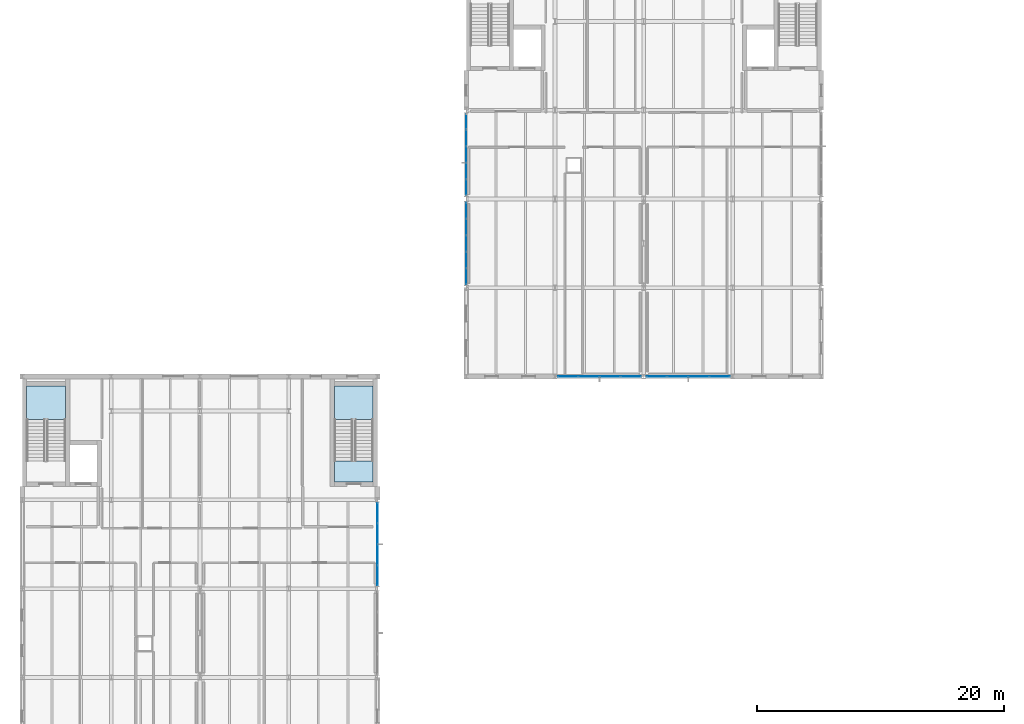
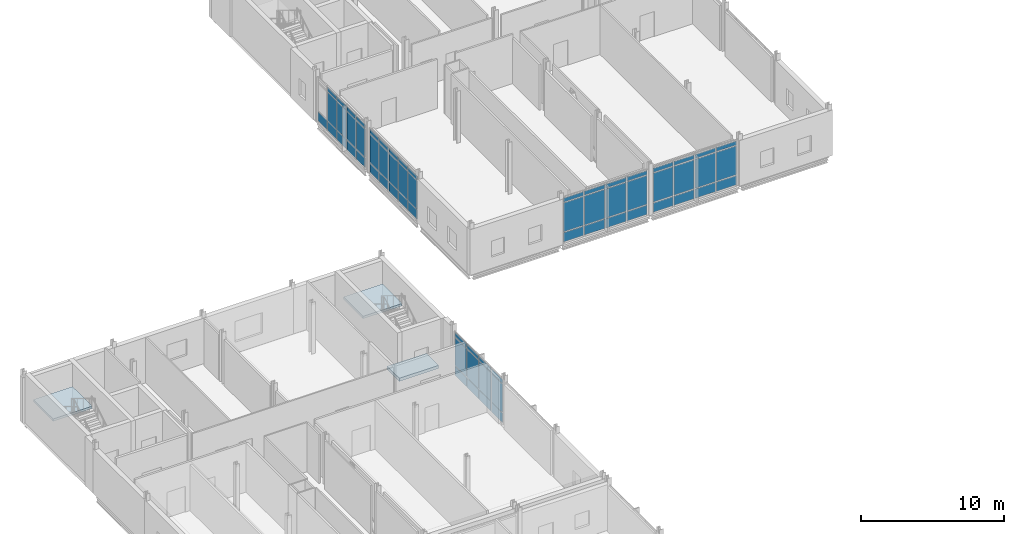
# One storey, part 40 of 76: 64 plates, 3 slabs, 7 elements without a shape of their own.
"""IFC4 building model written with IfcOpenShell, lengths in metres."""

from ifc_helpers import new_model, si_unit, direction, frame, origin, origin_2d, place, context, subcontext, project, spatial, polyline, rectangle, outline, extrude, material, layer, layer_set, type_object, element, aggregate, save


model = new_model("IFC4")

# Units and contexts
model_context = context("Model", 3, precision=1e-05, world=origin(), true_north=direction((0.0, 1.0)))
body_context = subcontext(model_context, "Body", "Model", "MODEL_VIEW")
ifc_project = project(units=[si_unit("LENGTHUNIT", "METRE"), si_unit("AREAUNIT", "SQUARE_METRE"), si_unit("VOLUMEUNIT", "CUBIC_METRE"), si_unit("PLANEANGLEUNIT", "RADIAN"), si_unit("MASSUNIT", "GRAM", prefix="KILO")], contexts=[model_context])

# Site, building, storey
site_placement = place(None, origin())
site = spatial("IfcSite", under=ifc_project, at=site_placement, CompositionType="ELEMENT")
building_placement = place(site_placement, origin())
building = spatial("IfcBuilding", under=site, at=building_placement, Name="Zarrinpeak Specialist Clinic", CompositionType="ELEMENT")
storey_placement = place(building_placement, frame((0.0, 0.0, 5.199951171875)))
storey = spatial("IfcBuildingStorey", under=building, at=storey_placement, Name="L01", CompositionType="ELEMENT", Elevation=5.199951171875)

# Curtain wall, plates
ifc_material_1 = material(Name="Anodised Aluminium Alloy 6063-T6", Category="aluminium")
ifc_layer_1 = layer(ifc_material_1, 0.179931640625)
ifc_layer_set_1 = layer_set([ifc_layer_1], Name="Anodised Aluminium Alloy 6063-T6")
curtain_wall_type_1 = type_object("IfcCurtainWallType", Name="CW-COURT", PredefinedType="NOTDEFINED", material=ifc_layer_set_1)
curtain_wall_1_placement = place(storey_placement, origin())
curtain_wall_1 = element("IfcCurtainWall", 1, at=curtain_wall_1_placement, inside=storey, type_object=curtain_wall_type_1, Name="L01 V6 Unitised Curtain Wall CW-L01-V6-136", PredefinedType="NOTDEFINED")
ifc_material_2 = material(Name="Double Low-E Insulated Glazing", Category="glass")
ifc_layer_2 = layer(ifc_material_2, 0.028076171875)
ifc_layer_set_2 = layer_set([ifc_layer_2], Name="Double Low-E Insulated Glazing")
plate_type_1 = type_object("IfcPlateType", Name="CWP-GLZ28", PredefinedType="CURTAIN_PANEL", material=ifc_layer_set_2)
plate_1_placement = place(storey_placement, frame((51.449951171875, 82.0, 0.074951171875), z_axis=(0.0, 0.0, 1.0), x_axis=(1.0, 0.0, 0.0)))
plate_1 = element("IfcPlate", 2, at=plate_1_placement, type_object=plate_type_1, Name="CW-01 panel 1.1", PredefinedType="CURTAIN_PANEL", context=body_context, shape_type="SweptSolid", body=[
    extrude(rectangle(XDim=1.60009765625, YDim=0.028076171875, at=origin_2d()), origin(), (0.0, 0.0, 1.0), 0.78759765625),
])
plate_2_placement = place(storey_placement, frame((51.449951171875, 82.0, 0.9375), z_axis=(0.0, 0.0, 1.0), x_axis=(1.0, 0.0, 0.0)))
plate_2 = element("IfcPlate", 3, at=plate_2_placement, type_object=plate_type_1, Name="CW-01 panel 1.2", PredefinedType="CURTAIN_PANEL", context=body_context, shape_type="SweptSolid", body=[
    extrude(rectangle(XDim=1.60009765625, YDim=0.028076171875, at=origin_2d()), origin(), (0.0, 0.0, 1.0), 2.455078125),
])
plate_3_placement = place(storey_placement, frame((51.449951171875, 82.0, 3.467529296875), z_axis=(0.0, 0.0, 1.0), x_axis=(1.0, 0.0, 0.0)))
plate_3 = element("IfcPlate", 4, at=plate_3_placement, type_object=plate_type_1, Name="CW-01 panel 1.3", PredefinedType="CURTAIN_PANEL", context=body_context, shape_type="SweptSolid", body=[
    extrude(rectangle(XDim=1.60009765625, YDim=0.028076171875, at=origin_2d()), origin(), (0.0, 0.0, 1.0), 0.33740234375),
])
plate_4_placement = place(storey_placement, frame((53.143798828125, 82.0, 0.074951171875), z_axis=(0.0, 0.0, 1.0), x_axis=(1.0, 0.0, 0.0)))
plate_4 = element("IfcPlate", 5, at=plate_4_placement, type_object=plate_type_1, Name="CW-01 panel 2.1", PredefinedType="CURTAIN_PANEL", context=body_context, shape_type="SweptSolid", body=[
    extrude(rectangle(XDim=1.637451171875, YDim=0.028076171875, at=origin_2d()), origin(), (0.0, 0.0, 1.0), 0.78759765625),
])
plate_5_placement = place(storey_placement, frame((53.143798828125, 82.0, 0.9375), z_axis=(0.0, 0.0, 1.0), x_axis=(1.0, 0.0, 0.0)))
plate_5 = element("IfcPlate", 6, at=plate_5_placement, type_object=plate_type_1, Name="CW-01 panel 2.2", PredefinedType="CURTAIN_PANEL", context=body_context, shape_type="SweptSolid", body=[
    extrude(rectangle(XDim=1.637451171875, YDim=0.028076171875, at=origin_2d()), origin(), (0.0, 0.0, 1.0), 2.455078125),
])
plate_6_placement = place(storey_placement, frame((53.143798828125, 82.0, 3.467529296875), z_axis=(0.0, 0.0, 1.0), x_axis=(1.0, 0.0, 0.0)))
plate_6 = element("IfcPlate", 7, at=plate_6_placement, type_object=plate_type_1, Name="CW-01 panel 2.3", PredefinedType="CURTAIN_PANEL", context=body_context, shape_type="SweptSolid", body=[
    extrude(rectangle(XDim=1.637451171875, YDim=0.028076171875, at=origin_2d()), origin(), (0.0, 0.0, 1.0), 0.33740234375),
])
plate_7_placement = place(storey_placement, frame((54.856201171875, 82.0, 0.074951171875), z_axis=(0.0, 0.0, 1.0), x_axis=(1.0, 0.0, 0.0)))
plate_7 = element("IfcPlate", 8, at=plate_7_placement, type_object=plate_type_1, Name="CW-01 panel 3.1", PredefinedType="CURTAIN_PANEL", context=body_context, shape_type="SweptSolid", body=[
    extrude(rectangle(XDim=1.637451171875, YDim=0.028076171875, at=origin_2d()), origin(), (0.0, 0.0, 1.0), 0.78759765625),
])
plate_8_placement = place(storey_placement, frame((54.856201171875, 82.0, 0.9375), z_axis=(0.0, 0.0, 1.0), x_axis=(1.0, 0.0, 0.0)))
plate_8 = element("IfcPlate", 9, at=plate_8_placement, type_object=plate_type_1, Name="CW-01 panel 3.2", PredefinedType="CURTAIN_PANEL", context=body_context, shape_type="SweptSolid", body=[
    extrude(rectangle(XDim=1.637451171875, YDim=0.028076171875, at=origin_2d()), origin(), (0.0, 0.0, 1.0), 2.455078125),
])
plate_9_placement = place(storey_placement, frame((54.856201171875, 82.0, 3.467529296875), z_axis=(0.0, 0.0, 1.0), x_axis=(1.0, 0.0, 0.0)))
plate_9 = element("IfcPlate", 10, at=plate_9_placement, type_object=plate_type_1, Name="CW-01 panel 3.3", PredefinedType="CURTAIN_PANEL", context=body_context, shape_type="SweptSolid", body=[
    extrude(rectangle(XDim=1.637451171875, YDim=0.028076171875, at=origin_2d()), origin(), (0.0, 0.0, 1.0), 0.33740234375),
])
plate_10_placement = place(storey_placement, frame((56.550048828125, 82.0, 0.074951171875), z_axis=(0.0, 0.0, 1.0), x_axis=(1.0, 0.0, 0.0)))
plate_10 = element("IfcPlate", 11, at=plate_10_placement, type_object=plate_type_1, Name="CW-01 panel 4.1", PredefinedType="CURTAIN_PANEL", context=body_context, shape_type="SweptSolid", body=[
    extrude(rectangle(XDim=1.60009765625, YDim=0.028076171875, at=origin_2d()), origin(), (0.0, 0.0, 1.0), 0.78759765625),
])
plate_11_placement = place(storey_placement, frame((56.550048828125, 82.0, 0.9375), z_axis=(0.0, 0.0, 1.0), x_axis=(1.0, 0.0, 0.0)))
plate_11 = element("IfcPlate", 12, at=plate_11_placement, type_object=plate_type_1, Name="CW-01 panel 4.2", PredefinedType="CURTAIN_PANEL", context=body_context, shape_type="SweptSolid", body=[
    extrude(rectangle(XDim=1.60009765625, YDim=0.028076171875, at=origin_2d()), origin(), (0.0, 0.0, 1.0), 2.455078125),
])
plate_12_placement = place(storey_placement, frame((56.550048828125, 82.0, 3.467529296875), z_axis=(0.0, 0.0, 1.0), x_axis=(1.0, 0.0, 0.0)))
plate_12 = element("IfcPlate", 13, at=plate_12_placement, type_object=plate_type_1, Name="CW-01 panel 4.3", PredefinedType="CURTAIN_PANEL", context=body_context, shape_type="SweptSolid", body=[
    extrude(rectangle(XDim=1.60009765625, YDim=0.028076171875, at=origin_2d()), origin(), (0.0, 0.0, 1.0), 0.33740234375),
])
aggregate(curtain_wall_1, [plate_1, plate_2, plate_3, plate_4, plate_5, plate_6, plate_7, plate_8, plate_9, plate_10, plate_11, plate_12])

ifc_layer_3 = layer(ifc_material_1, 0.1650390625)
ifc_layer_set_3 = layer_set([ifc_layer_3], Name="Anodised Aluminium Alloy 6063-T6")
curtain_wall_type_2 = type_object("IfcCurtainWallType", Name="CW-CLINIC", PredefinedType="NOTDEFINED", material=ifc_layer_set_3)
curtain_wall_2_placement = place(storey_placement, origin())
curtain_wall_2 = element("IfcCurtainWall", 14, at=curtain_wall_2_placement, inside=storey, type_object=curtain_wall_type_2, Name="L01 V6 Unitised Curtain Wall CW-L01-V6-137", PredefinedType="NOTDEFINED")
plate_13_placement = place(storey_placement, frame((36.0, 95.458740234375, 0.074951171875), z_axis=(0.0, 0.0, 1.0), x_axis=(0.0, -1.0, 0.0)))
plate_13 = element("IfcPlate", 15, at=plate_13_placement, type_object=plate_type_1, Name="CW-03 panel 1.1", PredefinedType="CURTAIN_PANEL", context=body_context, shape_type="SweptSolid", body=[
    extrude(rectangle(XDim=1.232421875, YDim=0.028076171875, at=origin_2d()), origin(), (0.0, 0.0, 1.0), 0.78759765625),
])
plate_14_placement = place(storey_placement, frame((36.0, 95.458740234375, 0.9375), z_axis=(0.0, 0.0, 1.0), x_axis=(0.0, -1.0, 0.0)))
plate_14 = element("IfcPlate", 16, at=plate_14_placement, type_object=plate_type_1, Name="CW-03 panel 1.2", PredefinedType="CURTAIN_PANEL", context=body_context, shape_type="SweptSolid", body=[
    extrude(rectangle(XDim=1.232421875, YDim=0.028076171875, at=origin_2d()), origin(), (0.0, 0.0, 1.0), 2.385009765625),
])
plate_15_placement = place(storey_placement, frame((36.0, 95.458740234375, 3.397705078125), z_axis=(0.0, 0.0, 1.0), x_axis=(0.0, -1.0, 0.0)))
plate_15 = element("IfcPlate", 17, at=plate_15_placement, type_object=plate_type_1, Name="CW-03 panel 1.3", PredefinedType="CURTAIN_PANEL", context=body_context, shape_type="SweptSolid", body=[
    extrude(rectangle(XDim=1.232421875, YDim=0.028076171875, at=origin_2d()), origin(), (0.0, 0.0, 1.0), 0.33740234375),
])
plate_16_placement = place(storey_placement, frame((36.0, 94.132568359375, 0.074951171875), z_axis=(0.0, 0.0, 1.0), x_axis=(0.0, -1.0, 0.0)))
plate_16 = element("IfcPlate", 18, at=plate_16_placement, type_object=plate_type_1, Name="CW-03 panel 2.1", PredefinedType="CURTAIN_PANEL", context=body_context, shape_type="SweptSolid", body=[
    extrude(rectangle(XDim=1.27001953125, YDim=0.028076171875, at=origin_2d()), origin(), (0.0, 0.0, 1.0), 0.78759765625),
])
plate_17_placement = place(storey_placement, frame((36.0, 94.132568359375, 0.9375), z_axis=(0.0, 0.0, 1.0), x_axis=(0.0, -1.0, 0.0)))
plate_17 = element("IfcPlate", 19, at=plate_17_placement, type_object=plate_type_1, Name="CW-03 panel 2.2", PredefinedType="CURTAIN_PANEL", context=body_context, shape_type="SweptSolid", body=[
    extrude(rectangle(XDim=1.27001953125, YDim=0.028076171875, at=origin_2d()), origin(), (0.0, 0.0, 1.0), 2.385009765625),
])
plate_18_placement = place(storey_placement, frame((36.0, 94.132568359375, 3.397705078125), z_axis=(0.0, 0.0, 1.0), x_axis=(0.0, -1.0, 0.0)))
plate_18 = element("IfcPlate", 20, at=plate_18_placement, type_object=plate_type_1, Name="CW-03 panel 2.3", PredefinedType="CURTAIN_PANEL", context=body_context, shape_type="SweptSolid", body=[
    extrude(rectangle(XDim=1.27001953125, YDim=0.028076171875, at=origin_2d()), origin(), (0.0, 0.0, 1.0), 0.33740234375),
])
plate_19_placement = place(storey_placement, frame((36.0, 92.78759765625, 0.074951171875), z_axis=(0.0, 0.0, 1.0), x_axis=(0.0, -1.0, 0.0)))
plate_19 = element("IfcPlate", 21, at=plate_19_placement, type_object=plate_type_1, Name="CW-03 panel 3.1", PredefinedType="CURTAIN_PANEL", context=body_context, shape_type="SweptSolid", body=[
    extrude(rectangle(XDim=1.27001953125, YDim=0.028076171875, at=origin_2d()), origin(), (0.0, 0.0, 1.0), 0.78759765625),
])
plate_20_placement = place(storey_placement, frame((36.0, 92.78759765625, 0.9375), z_axis=(0.0, 0.0, 1.0), x_axis=(0.0, -1.0, 0.0)))
plate_20 = element("IfcPlate", 22, at=plate_20_placement, type_object=plate_type_1, Name="CW-03 panel 3.2", PredefinedType="CURTAIN_PANEL", context=body_context, shape_type="SweptSolid", body=[
    extrude(rectangle(XDim=1.27001953125, YDim=0.028076171875, at=origin_2d()), origin(), (0.0, 0.0, 1.0), 2.385009765625),
])
plate_21_placement = place(storey_placement, frame((36.0, 92.78759765625, 3.397705078125), z_axis=(0.0, 0.0, 1.0), x_axis=(0.0, -1.0, 0.0)))
plate_21 = element("IfcPlate", 23, at=plate_21_placement, type_object=plate_type_1, Name="CW-03 panel 3.3", PredefinedType="CURTAIN_PANEL", context=body_context, shape_type="SweptSolid", body=[
    extrude(rectangle(XDim=1.27001953125, YDim=0.028076171875, at=origin_2d()), origin(), (0.0, 0.0, 1.0), 0.33740234375),
])
plate_22_placement = place(storey_placement, frame((36.0, 91.4423828125, 0.074951171875), z_axis=(0.0, 0.0, 1.0), x_axis=(0.0, -1.0, 0.0)))
plate_22 = element("IfcPlate", 24, at=plate_22_placement, type_object=plate_type_1, Name="CW-03 panel 4.1", PredefinedType="CURTAIN_PANEL", context=body_context, shape_type="SweptSolid", body=[
    extrude(rectangle(XDim=1.27001953125, YDim=0.028076171875, at=origin_2d()), origin(), (0.0, 0.0, 1.0), 0.78759765625),
])
plate_23_placement = place(storey_placement, frame((36.0, 91.4423828125, 0.9375), z_axis=(0.0, 0.0, 1.0), x_axis=(0.0, -1.0, 0.0)))
plate_23 = element("IfcPlate", 25, at=plate_23_placement, type_object=plate_type_1, Name="CW-03 panel 4.2", PredefinedType="CURTAIN_PANEL", context=body_context, shape_type="SweptSolid", body=[
    extrude(rectangle(XDim=1.27001953125, YDim=0.028076171875, at=origin_2d()), origin(), (0.0, 0.0, 1.0), 2.385009765625),
])
plate_24_placement = place(storey_placement, frame((36.0, 91.4423828125, 3.397705078125), z_axis=(0.0, 0.0, 1.0), x_axis=(0.0, -1.0, 0.0)))
plate_24 = element("IfcPlate", 26, at=plate_24_placement, type_object=plate_type_1, Name="CW-03 panel 4.3", PredefinedType="CURTAIN_PANEL", context=body_context, shape_type="SweptSolid", body=[
    extrude(rectangle(XDim=1.27001953125, YDim=0.028076171875, at=origin_2d()), origin(), (0.0, 0.0, 1.0), 0.33740234375),
])
plate_25_placement = place(storey_placement, frame((36.0, 90.1162109375, 0.074951171875), z_axis=(0.0, 0.0, 1.0), x_axis=(0.0, -1.0, 0.0)))
plate_25 = element("IfcPlate", 27, at=plate_25_placement, type_object=plate_type_1, Name="CW-03 panel 5.1", PredefinedType="CURTAIN_PANEL", context=body_context, shape_type="SweptSolid", body=[
    extrude(rectangle(XDim=1.232421875, YDim=0.028076171875, at=origin_2d()), origin(), (0.0, 0.0, 1.0), 0.78759765625),
])
plate_26_placement = place(storey_placement, frame((36.0, 90.1162109375, 0.9375), z_axis=(0.0, 0.0, 1.0), x_axis=(0.0, -1.0, 0.0)))
plate_26 = element("IfcPlate", 28, at=plate_26_placement, type_object=plate_type_1, Name="CW-03 panel 5.2", PredefinedType="CURTAIN_PANEL", context=body_context, shape_type="SweptSolid", body=[
    extrude(rectangle(XDim=1.232421875, YDim=0.028076171875, at=origin_2d()), origin(), (0.0, 0.0, 1.0), 2.385009765625),
])
plate_27_placement = place(storey_placement, frame((36.0, 90.1162109375, 3.397705078125), z_axis=(0.0, 0.0, 1.0), x_axis=(0.0, -1.0, 0.0)))
plate_27 = element("IfcPlate", 29, at=plate_27_placement, type_object=plate_type_1, Name="CW-03 panel 5.3", PredefinedType="CURTAIN_PANEL", context=body_context, shape_type="SweptSolid", body=[
    extrude(rectangle(XDim=1.232421875, YDim=0.028076171875, at=origin_2d()), origin(), (0.0, 0.0, 1.0), 0.33740234375),
])
aggregate(curtain_wall_2, [plate_13, plate_14, plate_15, plate_16, plate_17, plate_18, plate_19, plate_20, plate_21, plate_22, plate_23, plate_24, plate_25, plate_26, plate_27])

curtain_wall_3_placement = place(storey_placement, origin())
curtain_wall_3 = element("IfcCurtainWall", 30, at=curtain_wall_3_placement, inside=storey, type_object=curtain_wall_type_2, Name="L01 V6 Unitised Curtain Wall CW-L01-V6-138", PredefinedType="NOTDEFINED")
plate_28_placement = place(storey_placement, frame((36.0, 102.6611328125, 0.074951171875), z_axis=(0.0, 0.0, 1.0), x_axis=(0.0, -1.0, 0.0)))
plate_28 = element("IfcPlate", 31, at=plate_28_placement, type_object=plate_type_1, Name="CW-03 panel 1.1", PredefinedType="CURTAIN_PANEL", context=body_context, shape_type="SweptSolid", body=[
    extrude(rectangle(XDim=1.2275390625, YDim=0.028076171875, at=origin_2d()), origin(), (0.0, 0.0, 1.0), 0.78759765625),
])
plate_29_placement = place(storey_placement, frame((36.0, 101.340087890625, 0.074951171875), z_axis=(0.0, 0.0, 1.0), x_axis=(0.0, -1.0, 0.0)))
plate_29 = element("IfcPlate", 32, at=plate_29_placement, type_object=plate_type_1, Name="CW-03 panel 2.1", PredefinedType="CURTAIN_PANEL", context=body_context, shape_type="SweptSolid", body=[
    extrude(rectangle(XDim=1.264892578125, YDim=0.028076171875, at=origin_2d()), origin(), (0.0, 0.0, 1.0), 0.78759765625),
])
plate_30_placement = place(storey_placement, frame((36.0, 101.340087890625, 0.9375), z_axis=(0.0, 0.0, 1.0), x_axis=(0.0, -1.0, 0.0)))
plate_30 = element("IfcPlate", 33, at=plate_30_placement, type_object=plate_type_1, Name="CW-03 panel 2.2", PredefinedType="CURTAIN_PANEL", context=body_context, shape_type="SweptSolid", body=[
    extrude(rectangle(XDim=1.264892578125, YDim=0.028076171875, at=origin_2d()), origin(), (0.0, 0.0, 1.0), 2.385009765625),
])
plate_31_placement = place(storey_placement, frame((36.0, 101.340087890625, 3.397705078125), z_axis=(0.0, 0.0, 1.0), x_axis=(0.0, -1.0, 0.0)))
plate_31 = element("IfcPlate", 34, at=plate_31_placement, type_object=plate_type_1, Name="CW-03 panel 2.3", PredefinedType="CURTAIN_PANEL", context=body_context, shape_type="SweptSolid", body=[
    extrude(rectangle(XDim=1.264892578125, YDim=0.028076171875, at=origin_2d()), origin(), (0.0, 0.0, 1.0), 0.33740234375),
])
plate_32_placement = place(storey_placement, frame((36.0, 100.0, 0.074951171875), z_axis=(0.0, 0.0, 1.0), x_axis=(0.0, -1.0, 0.0)))
plate_32 = element("IfcPlate", 35, at=plate_32_placement, type_object=plate_type_1, Name="CW-03 panel 3.1", PredefinedType="CURTAIN_PANEL", context=body_context, shape_type="SweptSolid", body=[
    extrude(rectangle(XDim=1.264892578125, YDim=0.028076171875, at=origin_2d()), origin(), (0.0, 0.0, 1.0), 0.78759765625),
])
plate_33_placement = place(storey_placement, frame((36.0, 100.0, 0.9375), z_axis=(0.0, 0.0, 1.0), x_axis=(0.0, -1.0, 0.0)))
plate_33 = element("IfcPlate", 36, at=plate_33_placement, type_object=plate_type_1, Name="CW-03 panel 3.2", PredefinedType="CURTAIN_PANEL", context=body_context, shape_type="SweptSolid", body=[
    extrude(rectangle(XDim=1.264892578125, YDim=0.028076171875, at=origin_2d()), origin(), (0.0, 0.0, 1.0), 2.385009765625),
])
plate_34_placement = place(storey_placement, frame((36.0, 100.0, 3.397705078125), z_axis=(0.0, 0.0, 1.0), x_axis=(0.0, -1.0, 0.0)))
plate_34 = element("IfcPlate", 37, at=plate_34_placement, type_object=plate_type_1, Name="CW-03 panel 3.3", PredefinedType="CURTAIN_PANEL", context=body_context, shape_type="SweptSolid", body=[
    extrude(rectangle(XDim=1.264892578125, YDim=0.028076171875, at=origin_2d()), origin(), (0.0, 0.0, 1.0), 0.33740234375),
])
plate_35_placement = place(storey_placement, frame((36.0, 98.659912109375, 0.074951171875), z_axis=(0.0, 0.0, 1.0), x_axis=(0.0, -1.0, 0.0)))
plate_35 = element("IfcPlate", 38, at=plate_35_placement, type_object=plate_type_1, Name="CW-03 panel 4.1", PredefinedType="CURTAIN_PANEL", context=body_context, shape_type="SweptSolid", body=[
    extrude(rectangle(XDim=1.264892578125, YDim=0.028076171875, at=origin_2d()), origin(), (0.0, 0.0, 1.0), 0.78759765625),
])
plate_36_placement = place(storey_placement, frame((36.0, 98.659912109375, 0.9375), z_axis=(0.0, 0.0, 1.0), x_axis=(0.0, -1.0, 0.0)))
plate_36 = element("IfcPlate", 39, at=plate_36_placement, type_object=plate_type_1, Name="CW-03 panel 4.2", PredefinedType="CURTAIN_PANEL", context=body_context, shape_type="SweptSolid", body=[
    extrude(rectangle(XDim=1.264892578125, YDim=0.028076171875, at=origin_2d()), origin(), (0.0, 0.0, 1.0), 2.385009765625),
])
plate_37_placement = place(storey_placement, frame((36.0, 98.659912109375, 3.397705078125), z_axis=(0.0, 0.0, 1.0), x_axis=(0.0, -1.0, 0.0)))
plate_37 = element("IfcPlate", 40, at=plate_37_placement, type_object=plate_type_1, Name="CW-03 panel 4.3", PredefinedType="CURTAIN_PANEL", context=body_context, shape_type="SweptSolid", body=[
    extrude(rectangle(XDim=1.264892578125, YDim=0.028076171875, at=origin_2d()), origin(), (0.0, 0.0, 1.0), 0.33740234375),
])
plate_38_placement = place(storey_placement, frame((36.0, 97.3388671875, 0.074951171875), z_axis=(0.0, 0.0, 1.0), x_axis=(0.0, -1.0, 0.0)))
plate_38 = element("IfcPlate", 41, at=plate_38_placement, type_object=plate_type_1, Name="CW-03 panel 5.1", PredefinedType="CURTAIN_PANEL", context=body_context, shape_type="SweptSolid", body=[
    extrude(rectangle(XDim=1.2275390625, YDim=0.028076171875, at=origin_2d()), origin(), (0.0, 0.0, 1.0), 0.78759765625),
])
plate_39_placement = place(storey_placement, frame((36.0, 97.3388671875, 0.9375), z_axis=(0.0, 0.0, 1.0), x_axis=(0.0, -1.0, 0.0)))
plate_39 = element("IfcPlate", 42, at=plate_39_placement, type_object=plate_type_1, Name="CW-03 panel 5.2", PredefinedType="CURTAIN_PANEL", context=body_context, shape_type="SweptSolid", body=[
    extrude(rectangle(XDim=1.2275390625, YDim=0.028076171875, at=origin_2d()), origin(), (0.0, 0.0, 1.0), 2.385009765625),
])
plate_40_placement = place(storey_placement, frame((36.0, 97.3388671875, 3.397705078125), z_axis=(0.0, 0.0, 1.0), x_axis=(0.0, -1.0, 0.0)))
plate_40 = element("IfcPlate", 43, at=plate_40_placement, type_object=plate_type_1, Name="CW-03 panel 5.3", PredefinedType="CURTAIN_PANEL", context=body_context, shape_type="SweptSolid", body=[
    extrude(rectangle(XDim=1.2275390625, YDim=0.028076171875, at=origin_2d()), origin(), (0.0, 0.0, 1.0), 0.33740234375),
])
aggregate(curtain_wall_3, [plate_28, plate_29, plate_30, plate_31, plate_32, plate_33, plate_34, plate_35, plate_36, plate_37, plate_38, plate_39, plate_40])

curtain_wall_4_placement = place(storey_placement, origin())
curtain_wall_4 = element("IfcCurtainWall", 44, at=curtain_wall_4_placement, inside=storey, type_object=curtain_wall_type_1, Name="L01 V5 Unitised Curtain Wall CW-L01-V5-124", PredefinedType="NOTDEFINED")
ifc_material_3 = material(Name="Triple Acoustic Low-E Glazing", Category="glass")
ifc_layer_4 = layer(ifc_material_3, 0.035888671875)
ifc_layer_set_4 = layer_set([ifc_layer_4], Name="Triple Acoustic Low-E Glazing")
plate_type_2 = type_object("IfcPlateType", Name="CWP-GLZ36", PredefinedType="CURTAIN_PANEL", material=ifc_layer_set_4)
plate_41_placement = place(storey_placement, frame((28.800048828125, 65.87255859375, 0.074951171875), z_axis=(0.0, 0.0, 1.0), x_axis=(0.0, 1.0, 0.0)))
plate_41 = element("IfcPlate", 45, at=plate_41_placement, type_object=plate_type_2, Name="CW-01 panel 1.1", PredefinedType="CURTAIN_PANEL", context=body_context, shape_type="SweptSolid", body=[
    extrude(rectangle(XDim=1.5849609375, YDim=0.035888671875, at=origin_2d()), origin(), (0.0, 0.0, 1.0), 0.78759765625),
])
plate_42_placement = place(storey_placement, frame((28.800048828125, 65.87255859375, 0.9375), z_axis=(0.0, 0.0, 1.0), x_axis=(0.0, 1.0, 0.0)))
plate_42 = element("IfcPlate", 46, at=plate_42_placement, type_object=plate_type_2, Name="CW-01 panel 1.2", PredefinedType="CURTAIN_PANEL", context=body_context, shape_type="SweptSolid", body=[
    extrude(rectangle(XDim=1.5849609375, YDim=0.035888671875, at=origin_2d()), origin(), (0.0, 0.0, 1.0), 2.385009765625),
])
plate_43_placement = place(storey_placement, frame((28.800048828125, 65.87255859375, 3.397705078125), z_axis=(0.0, 0.0, 1.0), x_axis=(0.0, 1.0, 0.0)))
plate_43 = element("IfcPlate", 47, at=plate_43_placement, type_object=plate_type_2, Name="CW-01 panel 1.3", PredefinedType="CURTAIN_PANEL", context=body_context, shape_type="SweptSolid", body=[
    extrude(rectangle(XDim=1.5849609375, YDim=0.035888671875, at=origin_2d()), origin(), (0.0, 0.0, 1.0), 0.33740234375),
])
plate_44_placement = place(storey_placement, frame((28.800048828125, 67.55126953125, 0.074951171875), z_axis=(0.0, 0.0, 1.0), x_axis=(0.0, 1.0, 0.0)))
plate_44 = element("IfcPlate", 48, at=plate_44_placement, type_object=plate_type_2, Name="CW-01 panel 2.1", PredefinedType="CURTAIN_PANEL", context=body_context, shape_type="SweptSolid", body=[
    extrude(rectangle(XDim=1.62255859375, YDim=0.035888671875, at=origin_2d()), origin(), (0.0, 0.0, 1.0), 0.78759765625),
])
plate_45_placement = place(storey_placement, frame((28.800048828125, 67.55126953125, 0.9375), z_axis=(0.0, 0.0, 1.0), x_axis=(0.0, 1.0, 0.0)))
plate_45 = element("IfcPlate", 49, at=plate_45_placement, type_object=plate_type_2, Name="CW-01 panel 2.2", PredefinedType="CURTAIN_PANEL", context=body_context, shape_type="SweptSolid", body=[
    extrude(rectangle(XDim=1.62255859375, YDim=0.035888671875, at=origin_2d()), origin(), (0.0, 0.0, 1.0), 2.385009765625),
])
plate_46_placement = place(storey_placement, frame((28.800048828125, 67.55126953125, 3.397705078125), z_axis=(0.0, 0.0, 1.0), x_axis=(0.0, 1.0, 0.0)))
plate_46 = element("IfcPlate", 50, at=plate_46_placement, type_object=plate_type_2, Name="CW-01 panel 2.3", PredefinedType="CURTAIN_PANEL", context=body_context, shape_type="SweptSolid", body=[
    extrude(rectangle(XDim=1.62255859375, YDim=0.035888671875, at=origin_2d()), origin(), (0.0, 0.0, 1.0), 0.33740234375),
])
plate_47_placement = place(storey_placement, frame((28.800048828125, 69.248779296875, 0.074951171875), z_axis=(0.0, 0.0, 1.0), x_axis=(0.0, 1.0, 0.0)))
plate_47 = element("IfcPlate", 51, at=plate_47_placement, type_object=plate_type_2, Name="CW-01 panel 3.1", PredefinedType="CURTAIN_PANEL", context=body_context, shape_type="SweptSolid", body=[
    extrude(rectangle(XDim=1.62255859375, YDim=0.035888671875, at=origin_2d()), origin(), (0.0, 0.0, 1.0), 0.78759765625),
])
plate_48_placement = place(storey_placement, frame((28.800048828125, 69.248779296875, 0.9375), z_axis=(0.0, 0.0, 1.0), x_axis=(0.0, 1.0, 0.0)))
plate_48 = element("IfcPlate", 52, at=plate_48_placement, type_object=plate_type_2, Name="CW-01 panel 3.2", PredefinedType="CURTAIN_PANEL", context=body_context, shape_type="SweptSolid", body=[
    extrude(rectangle(XDim=1.62255859375, YDim=0.035888671875, at=origin_2d()), origin(), (0.0, 0.0, 1.0), 2.385009765625),
])
plate_49_placement = place(storey_placement, frame((28.800048828125, 69.248779296875, 3.397705078125), z_axis=(0.0, 0.0, 1.0), x_axis=(0.0, 1.0, 0.0)))
plate_49 = element("IfcPlate", 53, at=plate_49_placement, type_object=plate_type_2, Name="CW-01 panel 3.3", PredefinedType="CURTAIN_PANEL", context=body_context, shape_type="SweptSolid", body=[
    extrude(rectangle(XDim=1.62255859375, YDim=0.035888671875, at=origin_2d()), origin(), (0.0, 0.0, 1.0), 0.33740234375),
])
plate_50_placement = place(storey_placement, frame((28.800048828125, 70.927490234375, 0.074951171875), z_axis=(0.0, 0.0, 1.0), x_axis=(0.0, 1.0, 0.0)))
plate_50 = element("IfcPlate", 54, at=plate_50_placement, type_object=plate_type_2, Name="CW-01 panel 4.1", PredefinedType="CURTAIN_PANEL", context=body_context, shape_type="SweptSolid", body=[
    extrude(rectangle(XDim=1.5849609375, YDim=0.035888671875, at=origin_2d()), origin(), (0.0, 0.0, 1.0), 0.78759765625),
])
plate_51_placement = place(storey_placement, frame((28.800048828125, 70.927490234375, 0.9375), z_axis=(0.0, 0.0, 1.0), x_axis=(0.0, 1.0, 0.0)))
plate_51 = element("IfcPlate", 55, at=plate_51_placement, type_object=plate_type_2, Name="CW-01 panel 4.2", PredefinedType="CURTAIN_PANEL", context=body_context, shape_type="SweptSolid", body=[
    extrude(rectangle(XDim=1.5849609375, YDim=0.035888671875, at=origin_2d()), origin(), (0.0, 0.0, 1.0), 2.385009765625),
])
plate_52_placement = place(storey_placement, frame((28.800048828125, 70.927490234375, 3.397705078125), z_axis=(0.0, 0.0, 1.0), x_axis=(0.0, 1.0, 0.0)))
plate_52 = element("IfcPlate", 56, at=plate_52_placement, type_object=plate_type_2, Name="CW-01 panel 4.3", PredefinedType="CURTAIN_PANEL", context=body_context, shape_type="SweptSolid", body=[
    extrude(rectangle(XDim=1.5849609375, YDim=0.035888671875, at=origin_2d()), origin(), (0.0, 0.0, 1.0), 0.33740234375),
])
aggregate(curtain_wall_4, [plate_41, plate_42, plate_43, plate_44, plate_45, plate_46, plate_47, plate_48, plate_49, plate_50, plate_51, plate_52])

curtain_wall_5_placement = place(storey_placement, origin())
curtain_wall_5 = element("IfcCurtainWall", 57, at=curtain_wall_5_placement, inside=storey, type_object=curtain_wall_type_1, Name="L01 V6 Unitised Curtain Wall CW-L01-V6-135", PredefinedType="NOTDEFINED")
ifc_material_4 = material(Name="Insulated Aluminium Spandrel Panel", Category="aluminium")
ifc_layer_5 = layer(ifc_material_4, 0.044921875)
ifc_layer_set_5 = layer_set([ifc_layer_5], Name="Insulated Aluminium Spandrel Panel")
plate_type_3 = type_object("IfcPlateType", Name="CWP-SPN45", PredefinedType="CURTAIN_PANEL", material=ifc_layer_set_5)
plate_53_placement = place(storey_placement, frame((44.25, 82.0, 0.074951171875), z_axis=(0.0, 0.0, 1.0), x_axis=(1.0, 0.0, 0.0)))
plate_53 = element("IfcPlate", 58, at=plate_53_placement, type_object=plate_type_3, Name="CW-01 panel 1.1", PredefinedType="CURTAIN_PANEL", context=body_context, shape_type="SweptSolid", body=[
    extrude(rectangle(XDim=1.60009765625, YDim=0.044921875, at=origin_2d()), origin(), (0.0, 0.0, 1.0), 0.78759765625),
])
plate_54_placement = place(storey_placement, frame((44.25, 82.0, 0.9375), z_axis=(0.0, 0.0, 1.0), x_axis=(1.0, 0.0, 0.0)))
plate_54 = element("IfcPlate", 59, at=plate_54_placement, type_object=plate_type_3, Name="CW-01 panel 1.2", PredefinedType="CURTAIN_PANEL", context=body_context, shape_type="SweptSolid", body=[
    extrude(rectangle(XDim=1.60009765625, YDim=0.044921875, at=origin_2d()), origin(), (0.0, 0.0, 1.0), 2.455078125),
])
plate_55_placement = place(storey_placement, frame((44.25, 82.0, 3.467529296875), z_axis=(0.0, 0.0, 1.0), x_axis=(1.0, 0.0, 0.0)))
plate_55 = element("IfcPlate", 60, at=plate_55_placement, type_object=plate_type_3, Name="CW-01 panel 1.3", PredefinedType="CURTAIN_PANEL", context=body_context, shape_type="SweptSolid", body=[
    extrude(rectangle(XDim=1.60009765625, YDim=0.044921875, at=origin_2d()), origin(), (0.0, 0.0, 1.0), 0.33740234375),
])
plate_56_placement = place(storey_placement, frame((45.94384765625, 82.0, 0.074951171875), z_axis=(0.0, 0.0, 1.0), x_axis=(1.0, 0.0, 0.0)))
plate_56 = element("IfcPlate", 61, at=plate_56_placement, type_object=plate_type_3, Name="CW-01 panel 2.1", PredefinedType="CURTAIN_PANEL", context=body_context, shape_type="SweptSolid", body=[
    extrude(rectangle(XDim=1.637451171875, YDim=0.044921875, at=origin_2d()), origin(), (0.0, 0.0, 1.0), 0.78759765625),
])
plate_57_placement = place(storey_placement, frame((45.94384765625, 82.0, 0.9375), z_axis=(0.0, 0.0, 1.0), x_axis=(1.0, 0.0, 0.0)))
plate_57 = element("IfcPlate", 62, at=plate_57_placement, type_object=plate_type_3, Name="CW-01 panel 2.2", PredefinedType="CURTAIN_PANEL", context=body_context, shape_type="SweptSolid", body=[
    extrude(rectangle(XDim=1.637451171875, YDim=0.044921875, at=origin_2d()), origin(), (0.0, 0.0, 1.0), 2.455078125),
])
plate_58_placement = place(storey_placement, frame((45.94384765625, 82.0, 3.467529296875), z_axis=(0.0, 0.0, 1.0), x_axis=(1.0, 0.0, 0.0)))
plate_58 = element("IfcPlate", 63, at=plate_58_placement, type_object=plate_type_3, Name="CW-01 panel 2.3", PredefinedType="CURTAIN_PANEL", context=body_context, shape_type="SweptSolid", body=[
    extrude(rectangle(XDim=1.637451171875, YDim=0.044921875, at=origin_2d()), origin(), (0.0, 0.0, 1.0), 0.33740234375),
])
plate_59_placement = place(storey_placement, frame((47.65625, 82.0, 0.074951171875), z_axis=(0.0, 0.0, 1.0), x_axis=(1.0, 0.0, 0.0)))
plate_59 = element("IfcPlate", 64, at=plate_59_placement, type_object=plate_type_3, Name="CW-01 panel 3.1", PredefinedType="CURTAIN_PANEL", context=body_context, shape_type="SweptSolid", body=[
    extrude(rectangle(XDim=1.637451171875, YDim=0.044921875, at=origin_2d()), origin(), (0.0, 0.0, 1.0), 0.78759765625),
])
plate_60_placement = place(storey_placement, frame((47.65625, 82.0, 0.9375), z_axis=(0.0, 0.0, 1.0), x_axis=(1.0, 0.0, 0.0)))
plate_60 = element("IfcPlate", 65, at=plate_60_placement, type_object=plate_type_3, Name="CW-01 panel 3.2", PredefinedType="CURTAIN_PANEL", context=body_context, shape_type="SweptSolid", body=[
    extrude(rectangle(XDim=1.637451171875, YDim=0.044921875, at=origin_2d()), origin(), (0.0, 0.0, 1.0), 2.455078125),
])
plate_61_placement = place(storey_placement, frame((47.65625, 82.0, 3.467529296875), z_axis=(0.0, 0.0, 1.0), x_axis=(1.0, 0.0, 0.0)))
plate_61 = element("IfcPlate", 66, at=plate_61_placement, type_object=plate_type_3, Name="CW-01 panel 3.3", PredefinedType="CURTAIN_PANEL", context=body_context, shape_type="SweptSolid", body=[
    extrude(rectangle(XDim=1.637451171875, YDim=0.044921875, at=origin_2d()), origin(), (0.0, 0.0, 1.0), 0.33740234375),
])
plate_62_placement = place(storey_placement, frame((49.35009765625, 82.0, 0.074951171875), z_axis=(0.0, 0.0, 1.0), x_axis=(1.0, 0.0, 0.0)))
plate_62 = element("IfcPlate", 67, at=plate_62_placement, type_object=plate_type_3, Name="CW-01 panel 4.1", PredefinedType="CURTAIN_PANEL", context=body_context, shape_type="SweptSolid", body=[
    extrude(rectangle(XDim=1.60009765625, YDim=0.044921875, at=origin_2d()), origin(), (0.0, 0.0, 1.0), 0.78759765625),
])
plate_63_placement = place(storey_placement, frame((49.35009765625, 82.0, 0.9375), z_axis=(0.0, 0.0, 1.0), x_axis=(1.0, 0.0, 0.0)))
plate_63 = element("IfcPlate", 68, at=plate_63_placement, type_object=plate_type_3, Name="CW-01 panel 4.2", PredefinedType="CURTAIN_PANEL", context=body_context, shape_type="SweptSolid", body=[
    extrude(rectangle(XDim=1.60009765625, YDim=0.044921875, at=origin_2d()), origin(), (0.0, 0.0, 1.0), 2.455078125),
])
plate_64_placement = place(storey_placement, frame((49.35009765625, 82.0, 3.467529296875), z_axis=(0.0, 0.0, 1.0), x_axis=(1.0, 0.0, 0.0)))
plate_64 = element("IfcPlate", 69, at=plate_64_placement, type_object=plate_type_3, Name="CW-01 panel 4.3", PredefinedType="CURTAIN_PANEL", context=body_context, shape_type="SweptSolid", body=[
    extrude(rectangle(XDim=1.60009765625, YDim=0.044921875, at=origin_2d()), origin(), (0.0, 0.0, 1.0), 0.33740234375),
])
aggregate(curtain_wall_5, [plate_53, plate_54, plate_55, plate_56, plate_57, plate_58, plate_59, plate_60, plate_61, plate_62, plate_63, plate_64])

# Slab
ifc_material_5 = material(Name="Concrete C35/45", Category="concrete")
ifc_layer_6 = layer(ifc_material_5, 0.260009765625)
ifc_layer_set_6 = layer_set([ifc_layer_6], Name="Concrete C35/45")
slab_type_1 = type_object("IfcSlabType", Name="SL-FLR260", PredefinedType="FLOOR", material=ifc_layer_set_6)
slab_1_placement = place(storey_placement, frame((0.0, 0.0, -0.260009765625)))
element("IfcSlab", 70, at=slab_1_placement, inside=storey, type_object=slab_type_1, Name="L01 Core C10 Stairwell Floor Landing Slab", PredefinedType="FLOOR", context=body_context, shape_type="SweptSolid", body=[
    extrude(outline(polyline([(25.300048828125, 73.449951171875), (28.449951171875, 73.449951171875), (28.449951171875, 75.14990234375), (25.300048828125, 75.14990234375), (25.300048828125, 73.449951171875)])), origin(), (0.0, 0.0, 1.0), 0.260009765625),
])

# Stair, slab
stair_type = type_object("IfcStairType", Name="ST-DOG", PredefinedType="HALF_TURN_STAIR", material=ifc_material_5)
stair_1_placement = place(storey_placement, origin())
stair_1 = element("IfcStair", 71, at=stair_1_placement, inside=storey, type_object=stair_type, Name="L01 Protected Exit Stair ST-09", PredefinedType="HALF_TURN_STAIR")
ifc_layer_7 = layer(ifc_material_5, 0.199951171875)
ifc_layer_set_7 = layer_set([ifc_layer_7], Name="Concrete C35/45")
slab_type_2 = type_object("IfcSlabType", Name="SL-LAND200", PredefinedType="LANDING", material=ifc_layer_set_7)
slab_2_placement = place(storey_placement, frame((0.0, 0.0, 2.0)))
slab_2 = element("IfcSlab", 72, at=slab_2_placement, type_object=slab_type_2, Name="ST-09 landing 1", PredefinedType="LANDING", context=body_context, shape_type="SweptSolid", body=[
    extrude(outline(polyline([(3.5, 78.510009765625), (3.5, 81.25), (0.35009765625, 81.25), (0.35009765625, 78.510009765625), (3.5, 78.510009765625)])), origin(), (0.0, 0.0, 1.0), 0.199951171875),
])
aggregate(stair_1, [slab_2])

stair_2_placement = place(storey_placement, origin())
stair_2 = element("IfcStair", 73, at=stair_2_placement, inside=storey, type_object=stair_type, Name="L01 Protected Exit Stair ST-10", PredefinedType="HALF_TURN_STAIR")
slab_3_placement = place(storey_placement, frame((0.0, 0.0, 2.0)))
slab_3 = element("IfcSlab", 74, at=slab_3_placement, type_object=slab_type_2, Name="ST-10 landing 1", PredefinedType="LANDING", context=body_context, shape_type="SweptSolid", body=[
    extrude(outline(polyline([(28.449951171875, 78.510009765625), (28.449951171875, 81.25), (25.300048828125, 81.25), (25.300048828125, 78.510009765625), (28.449951171875, 78.510009765625)])), origin(), (0.0, 0.0, 1.0), 0.199951171875),
])
aggregate(stair_2, [slab_3])

save(model, "model.ifc")
